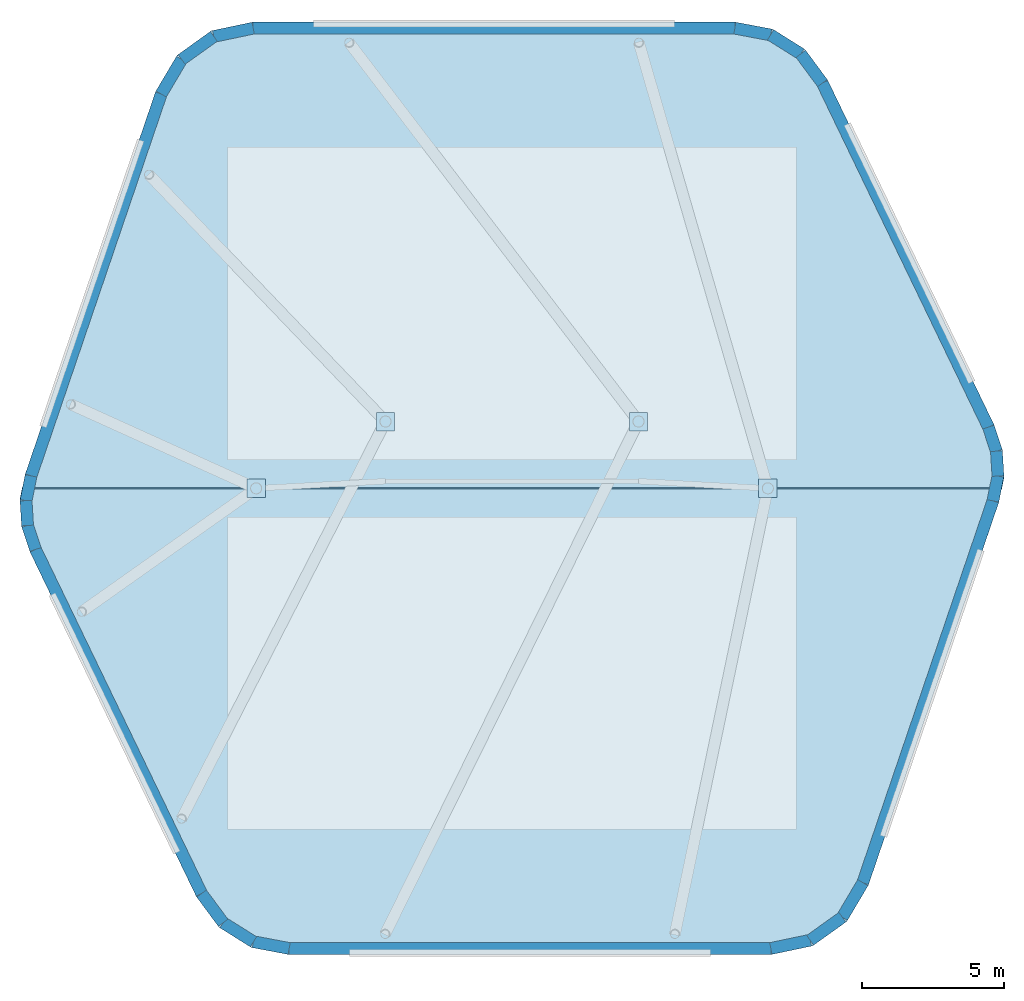
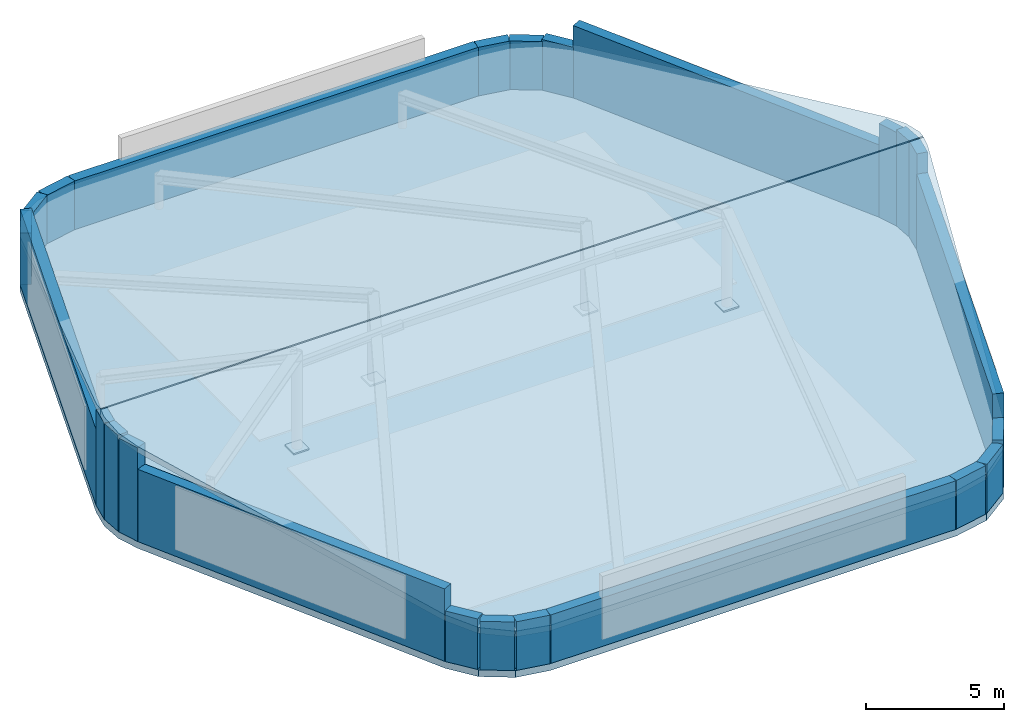
# One storey, part 2 of 3: 24 walls, 4 plates, 3 slabs.
"""IFC4 building model written with IfcOpenShell, lengths in metres."""

from ifc_helpers import new_model, si_unit, direction, frame, frame_2d, origin, origin_2d, place, context, subcontext, project, spatial, polyline, rectangle, outline, extrude, material, layer, layer_set, type_object, element, save


model = new_model("IFC4")

# Units and contexts
model_context = context("Model", 3, precision=1e-05, world=origin(), true_north=direction((0.0, 1.0)))
body_context = subcontext(model_context, "Body", "Model", "MODEL_VIEW")
ifc_project = project(units=[si_unit("LENGTHUNIT", "METRE"), si_unit("AREAUNIT", "SQUARE_METRE"), si_unit("VOLUMEUNIT", "CUBIC_METRE"), si_unit("PLANEANGLEUNIT", "RADIAN"), si_unit("MASSUNIT", "GRAM", prefix="KILO")], contexts=[model_context])

# Site, building, storey
site_placement = place(None, origin())
site = spatial("IfcSite", under=ifc_project, at=site_placement, CompositionType="ELEMENT")
building_placement = place(site_placement, origin())
building = spatial("IfcBuilding", under=site, at=building_placement, Name="Kilnhurst Terrace Hotel", CompositionType="ELEMENT")
storey_placement = place(building_placement, frame((0.0, 0.0, 321.39990234375)))
storey = spatial("IfcBuildingStorey", under=building, at=storey_placement, Name="RF", CompositionType="ELEMENT", Elevation=321.39990234375)

# Plates
ifc_material_1 = material(Name="Steel ASTM A572 Grade 50", Category="steel")
ifc_layer_1 = layer(ifc_material_1, 0.06005859375, Name="Steel ASTM A572 Grade 50")
ifc_layer_set_1 = layer_set([ifc_layer_1], Name="Steel ASTM A572 Grade 50")
plate_type = type_object("IfcPlateType", Name="PLT-BASE-60", PredefinedType="USERDEFINED", material=ifc_layer_set_1)
for number, where, z_axis, x_axis, name in (
    (1, (-9.0, 0.0, 0.0), (0.0, 0.0, 1.0), (1.0, 0.0, 0.0), "Crown Mast Base Plate SL-1"),
    (2, (-4.449951171875, 2.35009765625, 0.0), (0.0, 0.0, 1.0), (1.0, 0.0, 0.0), "Crown Mast Base Plate SL-2"),
    (3, (4.449951171875, 2.35009765625, 0.0), (0.0, 0.0, 1.0), (1.0, 0.0, 0.0), "Crown Mast Base Plate SL-3"),
    (4, (9.0, 0.0, 0.0), (0.0, 0.0, 1.0), (1.0, 0.0, 0.0), "Crown Mast Base Plate SL-4"),
):
    element("IfcPlate", number, at=place(storey_placement, frame(where, z_axis=z_axis, x_axis=x_axis)), inside=storey, type_object=plate_type, Name=name, ObjectType="GUSSET_PLATE", PredefinedType="USERDEFINED", context=body_context, shape_type="SweptSolid", body=[
        extrude(rectangle(XDim=0.64990234375, YDim=0.64990234375, at=origin_2d()), origin(), (0.0, 0.0, 1.0), 0.06005859375),
    ])

# Slabs
ifc_material_2 = material(Name="Precast concrete C40/50", Category="concrete")
ifc_layer_2 = layer(ifc_material_2, 0.300048828125, Name="Precast concrete C40/50")
ifc_layer_set_2 = layer_set([ifc_layer_2], Name="Precast concrete C40/50")
slab_type = type_object("IfcSlabType", Name="SLB-ROOF-300", PredefinedType="ROOF", material=ifc_layer_set_2)
slab_placement = place(storey_placement, frame((0.0, 0.0, -0.2998046875)))
element("IfcSlab", 5, at=slab_placement, inside=storey, type_object=slab_type, Name="RF Structural Crown Roof Deck Slab", PredefinedType="ROOF", context=body_context, shape_type="SweptSolid", body=[
    extrude(outline(polyline([(-11.102294921875, -14.36474609375), (-10.30712890625, -15.4404296875), (-9.17431640625, -16.151611328125), (-7.860107421875, -16.39990234375), (9.12744140625, -16.39990234375), (10.576171875, -16.095703125), (11.77978515625, -15.234130859375), (12.53515625, -13.961181640625), (17.1240234375, -0.494873046875), (17.307861328125, 0.41796875), (17.25146484375, 1.34716796875), (16.95849609375, 2.231201171875), (11.102294921875, 14.36474609375), (10.30712890625, 15.4404296875), (9.17431640625, 16.151611328125), (7.860107421875, 16.39990234375), (-9.12744140625, 16.39990234375), (-10.576171875, 16.095703125), (-11.77978515625, 15.234130859375), (-12.53515625, 13.961181640625), (-17.1240234375, 0.494873046875), (-17.307861328125, -0.41796875), (-17.25146484375, -1.34716796875), (-16.95849609375, -2.231201171875), (-11.102294921875, -14.36474609375)])), origin(), (0.0, 0.0, 1.0), 0.2998046875),
])
for number, where, z_axis, x_axis, name in (
    (6, (17.1240234375, -0.494873046875, 4.5126953125), (-5.28233e-07, -0.174119639171, 0.984724505258), (-0.318127175509, -0.933566115189, -0.165073949411), "Crown Sloped Canopy Roof South Facet"),
    (7, (-17.1240234375, 0.494873046875, 4.5126953125), (5.28233e-07, 0.174119639171, 0.984724505258), (0.318127175509, 0.933566115189, -0.165073949411), "Crown Sloped Canopy Roof North Facet"),
):
    element("IfcSlab", number, at=place(storey_placement, frame(where, z_axis=z_axis, x_axis=x_axis)), inside=storey, type_object=slab_type, Name=name, PredefinedType="ROOF", context=body_context, shape_type="SweptSolid", body=[
        extrude(outline(polyline([(0.0, 0.0), (14.42463121948251, -5.551115123125783e-17), (15.89047530809969, -0.30488565943182055), (17.10286005912353, -1.1676275289061615), (17.856596950692676, -2.442822687650473), (23.2607978782093, -18.547835184475147), (23.439873466508818, -19.873970686576435), (23.115521377378524, -21.177699666602177), (22.33286886285737, -22.27906689406891), (12.51425175659686, -31.750918161292194), (11.756356829812203, -32.314260624664655), (10.879706433127915, -32.66791653893373), (10.481360966091252, -32.71917925545309), (-0.4772503512063636, -0.06151634097968994), (0.0, 0.0)])), origin(), (0.0, 0.0, -1.0), 0.300048828125),
    ])

# Walls
ifc_layer_3 = layer(ifc_material_2, 0.419921875, Name="Precast concrete C40/50")
ifc_layer_set_3 = layer_set([ifc_layer_3], Name="Precast concrete C40/50")
wall_type = type_object("IfcWallType", Name="WL-CRN-420", PredefinedType="SOLIDWALL", material=ifc_layer_set_3)
wall_1_placement = place(storey_placement, frame((-10.921630859375, -14.255859375, 0.0), z_axis=(0.0, 0.0, 1.0), x_axis=(0.594423284796, -0.804152322941, 0.0)))
element("IfcWall", 8, at=wall_1_placement, inside=storey, type_object=wall_type, Name="RF Crown Pale Limestone-Brick Enclosure Wall 1", PredefinedType="SOLIDWALL", context=body_context, shape_type="SweptSolid", body=[
    extrude(rectangle(XDim=1.278076171875, YDim=0.419921875, at=frame_2d((0.63916015625, 0.0))), origin(), (0.0, 0.0, 1.0), 2.237060546875),
])
wall_2_placement = place(storey_placement, frame((-10.161865234375, -15.28369140625, 0.0), z_axis=(0.0, 0.0, 1.0), x_axis=(0.846993641169, -0.53160302089, 0.0)))
element("IfcWall", 9, at=wall_2_placement, inside=storey, type_object=wall_type, Name="RF Crown Pale Limestone-Brick Enclosure Wall 2", PredefinedType="SOLIDWALL", context=body_context, shape_type="SweptSolid", body=[
    extrude(rectangle(XDim=1.2578125, YDim=0.419921875, at=frame_2d((0.62890625, 0.0))), origin(), (0.0, 0.0, 1.0), 2.150146484375),
])
wall_3_placement = place(storey_placement, frame((-9.096435546875, -15.952392578125, 0.0), z_axis=(0.0, 0.0, 1.0), x_axis=(0.982583442004, -0.185821902637, 0.0)))
element("IfcWall", 10, at=wall_3_placement, inside=storey, type_object=wall_type, Name="RF Crown Pale Limestone-Brick Enclosure Wall 3", PredefinedType="SOLIDWALL", context=body_context, shape_type="SweptSolid", body=[
    extrude(rectangle(XDim=1.2783203125, YDim=0.419921875, at=frame_2d((0.63916015625, 0.0))), origin(), (0.0, 0.0, 1.0), 2.150146484375),
])
wall_4_placement = place(storey_placement, frame((-7.84033203125, -16.18994140625, 0.0), z_axis=(0.0, 0.0, 1.0), x_axis=(1.0, 0.0, 0.0)))
element("IfcWall", 11, at=wall_4_placement, inside=storey, type_object=wall_type, Name="RF Crown Pale Limestone-Brick Enclosure Wall 4", PredefinedType="SOLIDWALL", context=body_context, shape_type="SweptSolid", body=[
    extrude(rectangle(XDim=16.946044921875, YDim=0.419921875, at=frame_2d((8.47314453125, 0.0))), origin(), (0.0, 0.0, 1.0), 2.150146484375),
])
wall_5_placement = place(storey_placement, frame((9.105712890625, -16.18994140625, 0.0), z_axis=(0.0, 0.0, 1.0), x_axis=(0.978670507127, 0.205436215114, 0.0)))
element("IfcWall", 12, at=wall_5_placement, inside=storey, type_object=wall_type, Name="RF Crown Pale Limestone-Brick Enclosure Wall 5", PredefinedType="SOLIDWALL", context=body_context, shape_type="SweptSolid", body=[
    extrude(rectangle(XDim=1.414306640625, YDim=0.419921875, at=frame_2d((0.70703125, 0.0))), origin(), (0.0, 0.0, 1.0), 2.150146484375),
])
wall_6_placement = place(storey_placement, frame((10.48974609375, -15.8994140625, 0.0), z_axis=(0.0, 0.0, 1.0), x_axis=(0.813104912719, 0.58211717112, 0.0)))
element("IfcWall", 13, at=wall_6_placement, inside=storey, type_object=wall_type, Name="RF Crown Pale Limestone-Brick Enclosure Wall 6", PredefinedType="SOLIDWALL", context=body_context, shape_type="SweptSolid", body=[
    extrude(rectangle(XDim=1.39208984375, YDim=0.419921875, at=frame_2d((0.696044921875, 0.0))), origin(), (0.0, 0.0, 1.0), 2.150146484375),
])
wall_7_placement = place(storey_placement, frame((11.62158203125, -15.089111328125, 0.0), z_axis=(0.0, 0.0, 1.0), x_axis=(0.510403153597, 0.859935242212, 0.0)))
element("IfcWall", 14, at=wall_7_placement, inside=storey, type_object=wall_type, Name="RF Crown Pale Limestone-Brick Enclosure Wall 7", PredefinedType="SOLIDWALL", context=body_context, shape_type="SweptSolid", body=[
    extrude(rectangle(XDim=1.414306640625, YDim=0.419921875, at=frame_2d((0.70703125, 0.0))), origin(), (0.0, 0.0, 1.0), 2.280029296875),
])
wall_8_placement = place(storey_placement, frame((12.343505859375, -13.872802734375, 0.0), z_axis=(0.0, 0.0, 1.0), x_axis=(0.322553427155, 0.946551259378, 0.0)))
element("IfcWall", 15, at=wall_8_placement, inside=storey, type_object=wall_type, Name="RF Crown Pale Limestone-Brick Enclosure Wall 8", PredefinedType="SOLIDWALL", context=body_context, shape_type="SweptSolid", body=[
    extrude(rectangle(XDim=14.191162109375, YDim=0.419921875, at=frame_2d((7.095703125, 0.0))), origin(), (0.0, 0.0, 1.0), 3.35205078125),
])
wall_9_placement = place(storey_placement, frame((16.9208984375, -0.440185546875, 0.0), z_axis=(0.0, 0.0, 1.0), x_axis=(0.197170749138, 0.980369162961, 0.0)))
element("IfcWall", 16, at=wall_9_placement, inside=storey, type_object=wall_type, Name="RF Crown Pale Limestone-Brick Enclosure Wall 9", PredefinedType="SOLIDWALL", context=body_context, shape_type="SweptSolid", body=[
    extrude(rectangle(XDim=0.890380859375, YDim=0.419921875, at=frame_2d((0.4453125, 0.0))), origin(), (0.0, 0.0, 1.0), 4.25),
])
wall_10_placement = place(storey_placement, frame((17.096435546875, 0.4326171875, 0.0), z_axis=(0.0, 0.0, 1.0), x_axis=(-0.060469820114, 0.998170026025, 0.0)))
element("IfcWall", 17, at=wall_10_placement, inside=storey, type_object=wall_type, Name="RF Crown Pale Limestone-Brick Enclosure Wall 10", PredefinedType="SOLIDWALL", context=body_context, shape_type="SweptSolid", body=[
    extrude(rectangle(XDim=0.876220703125, YDim=0.419921875, at=frame_2d((0.43798828125, 0.0))), origin(), (0.0, 0.0, 1.0), 4.25),
])
wall_11_placement = place(storey_placement, frame((17.04345703125, 1.30712890625, 0.0), z_axis=(0.0, 0.0, 1.0), x_axis=(-0.314581701602, 0.949230400386, 0.0)))
element("IfcWall", 18, at=wall_11_placement, inside=storey, type_object=wall_type, Name="RF Crown Pale Limestone-Brick Enclosure Wall 11", PredefinedType="SOLIDWALL", context=body_context, shape_type="SweptSolid", body=[
    extrude(rectangle(XDim=0.89013671875, YDim=0.419921875, at=frame_2d((0.445068359375, 0.0))), origin(), (0.0, 0.0, 1.0), 4.147216796875),
])
wall_12_placement = place(storey_placement, frame((16.763427734375, 2.152099609375, 0.0), z_axis=(0.0, 0.0, 1.0), x_axis=(-0.434664735238, 0.900592342817, 0.0)))
element("IfcWall", 19, at=wall_12_placement, inside=storey, type_object=wall_type, Name="RF Crown Pale Limestone-Brick Enclosure Wall 12", PredefinedType="SOLIDWALL", context=body_context, shape_type="SweptSolid", body=[
    extrude(rectangle(XDim=13.439697265625, YDim=0.419921875, at=frame_2d((6.7197265625, 0.0))), origin(), (0.0, 0.0, 1.0), 3.19921875),
])
wall_13_placement = place(storey_placement, frame((10.921630859375, 14.255859375, 0.0), z_axis=(0.0, 0.0, 1.0), x_axis=(-0.594423284796, 0.804152322941, 0.0)))
element("IfcWall", 20, at=wall_13_placement, inside=storey, type_object=wall_type, Name="RF Crown Pale Limestone-Brick Enclosure Wall 13", PredefinedType="SOLIDWALL", context=body_context, shape_type="SweptSolid", body=[
    extrude(rectangle(XDim=1.278076171875, YDim=0.419921875, at=frame_2d((0.63916015625, 0.0))), origin(), (0.0, 0.0, 1.0), 2.237060546875),
])
wall_14_placement = place(storey_placement, frame((10.161865234375, 15.28369140625, 0.0), z_axis=(0.0, 0.0, 1.0), x_axis=(-0.846993641169, 0.53160302089, 0.0)))
element("IfcWall", 21, at=wall_14_placement, inside=storey, type_object=wall_type, Name="RF Crown Pale Limestone-Brick Enclosure Wall 14", PredefinedType="SOLIDWALL", context=body_context, shape_type="SweptSolid", body=[
    extrude(rectangle(XDim=1.2578125, YDim=0.419921875, at=frame_2d((0.62890625, 0.0))), origin(), (0.0, 0.0, 1.0), 2.150146484375),
])
wall_15_placement = place(storey_placement, frame((9.096435546875, 15.952392578125, 0.0), z_axis=(0.0, 0.0, 1.0), x_axis=(-0.982583442004, 0.185821902637, 0.0)))
element("IfcWall", 22, at=wall_15_placement, inside=storey, type_object=wall_type, Name="RF Crown Pale Limestone-Brick Enclosure Wall 15", PredefinedType="SOLIDWALL", context=body_context, shape_type="SweptSolid", body=[
    extrude(rectangle(XDim=1.2783203125, YDim=0.419921875, at=frame_2d((0.63916015625, 0.0))), origin(), (0.0, 0.0, 1.0), 2.150146484375),
])
wall_16_placement = place(storey_placement, frame((7.84033203125, 16.18994140625, 0.0), z_axis=(0.0, 0.0, 1.0), x_axis=(-1.0, 0.0, 0.0)))
element("IfcWall", 23, at=wall_16_placement, inside=storey, type_object=wall_type, Name="RF Crown Pale Limestone-Brick Enclosure Wall 16", PredefinedType="SOLIDWALL", context=body_context, shape_type="SweptSolid", body=[
    extrude(rectangle(XDim=16.946044921875, YDim=0.419921875, at=frame_2d((8.47314453125, 0.0))), origin(), (0.0, 0.0, 1.0), 2.150146484375),
])
wall_17_placement = place(storey_placement, frame((-9.105712890625, 16.18994140625, 0.0), z_axis=(0.0, 0.0, 1.0), x_axis=(-0.978670507127, -0.205436215114, 0.0)))
element("IfcWall", 24, at=wall_17_placement, inside=storey, type_object=wall_type, Name="RF Crown Pale Limestone-Brick Enclosure Wall 17", PredefinedType="SOLIDWALL", context=body_context, shape_type="SweptSolid", body=[
    extrude(rectangle(XDim=1.414306640625, YDim=0.419921875, at=frame_2d((0.70703125, 0.0))), origin(), (0.0, 0.0, 1.0), 2.150146484375),
])
wall_18_placement = place(storey_placement, frame((-10.48974609375, 15.8994140625, 0.0), z_axis=(0.0, 0.0, 1.0), x_axis=(-0.813104912719, -0.58211717112, 0.0)))
element("IfcWall", 25, at=wall_18_placement, inside=storey, type_object=wall_type, Name="RF Crown Pale Limestone-Brick Enclosure Wall 18", PredefinedType="SOLIDWALL", context=body_context, shape_type="SweptSolid", body=[
    extrude(rectangle(XDim=1.39208984375, YDim=0.419921875, at=frame_2d((0.696044921875, 0.0))), origin(), (0.0, 0.0, 1.0), 2.150146484375),
])
wall_19_placement = place(storey_placement, frame((-11.62158203125, 15.089111328125, 0.0), z_axis=(0.0, 0.0, 1.0), x_axis=(-0.510403153597, -0.859935242212, 0.0)))
element("IfcWall", 26, at=wall_19_placement, inside=storey, type_object=wall_type, Name="RF Crown Pale Limestone-Brick Enclosure Wall 19", PredefinedType="SOLIDWALL", context=body_context, shape_type="SweptSolid", body=[
    extrude(rectangle(XDim=1.414306640625, YDim=0.419921875, at=frame_2d((0.70703125, 0.0))), origin(), (0.0, 0.0, 1.0), 2.280029296875),
])
wall_20_placement = place(storey_placement, frame((-12.343505859375, 13.872802734375, 0.0), z_axis=(0.0, 0.0, 1.0), x_axis=(-0.322553427155, -0.946551259378, 0.0)))
element("IfcWall", 27, at=wall_20_placement, inside=storey, type_object=wall_type, Name="RF Crown Pale Limestone-Brick Enclosure Wall 20", PredefinedType="SOLIDWALL", context=body_context, shape_type="SweptSolid", body=[
    extrude(rectangle(XDim=14.191162109375, YDim=0.419921875, at=frame_2d((7.095703125, 0.0))), origin(), (0.0, 0.0, 1.0), 3.35205078125),
])
wall_21_placement = place(storey_placement, frame((-16.9208984375, 0.440185546875, 0.0), z_axis=(0.0, 0.0, 1.0), x_axis=(-0.197170749138, -0.980369162961, 0.0)))
element("IfcWall", 28, at=wall_21_placement, inside=storey, type_object=wall_type, Name="RF Crown Pale Limestone-Brick Enclosure Wall 21", PredefinedType="SOLIDWALL", context=body_context, shape_type="SweptSolid", body=[
    extrude(rectangle(XDim=0.890380859375, YDim=0.419921875, at=frame_2d((0.4453125, 0.0))), origin(), (0.0, 0.0, 1.0), 4.25),
])
wall_22_placement = place(storey_placement, frame((-17.096435546875, -0.4326171875, 0.0), z_axis=(0.0, 0.0, 1.0), x_axis=(0.060469820114, -0.998170026025, 0.0)))
element("IfcWall", 29, at=wall_22_placement, inside=storey, type_object=wall_type, Name="RF Crown Pale Limestone-Brick Enclosure Wall 22", PredefinedType="SOLIDWALL", context=body_context, shape_type="SweptSolid", body=[
    extrude(rectangle(XDim=0.876220703125, YDim=0.419921875, at=frame_2d((0.43798828125, 0.0))), origin(), (0.0, 0.0, 1.0), 4.25),
])
wall_23_placement = place(storey_placement, frame((-17.04345703125, -1.30712890625, 0.0), z_axis=(0.0, 0.0, 1.0), x_axis=(0.314581701602, -0.949230400386, 0.0)))
element("IfcWall", 30, at=wall_23_placement, inside=storey, type_object=wall_type, Name="RF Crown Pale Limestone-Brick Enclosure Wall 23", PredefinedType="SOLIDWALL", context=body_context, shape_type="SweptSolid", body=[
    extrude(rectangle(XDim=0.89013671875, YDim=0.419921875, at=frame_2d((0.445068359375, 0.0))), origin(), (0.0, 0.0, 1.0), 4.147216796875),
])
wall_24_placement = place(storey_placement, frame((-16.763427734375, -2.152099609375, 0.0), z_axis=(0.0, 0.0, 1.0), x_axis=(0.434664735238, -0.900592342817, 0.0)))
element("IfcWall", 31, at=wall_24_placement, inside=storey, type_object=wall_type, Name="RF Crown Pale Limestone-Brick Enclosure Wall 24", PredefinedType="SOLIDWALL", context=body_context, shape_type="SweptSolid", body=[
    extrude(rectangle(XDim=13.439697265625, YDim=0.419921875, at=frame_2d((6.7197265625, 0.0))), origin(), (0.0, 0.0, 1.0), 3.19921875),
])

save(model, "model.ifc")
